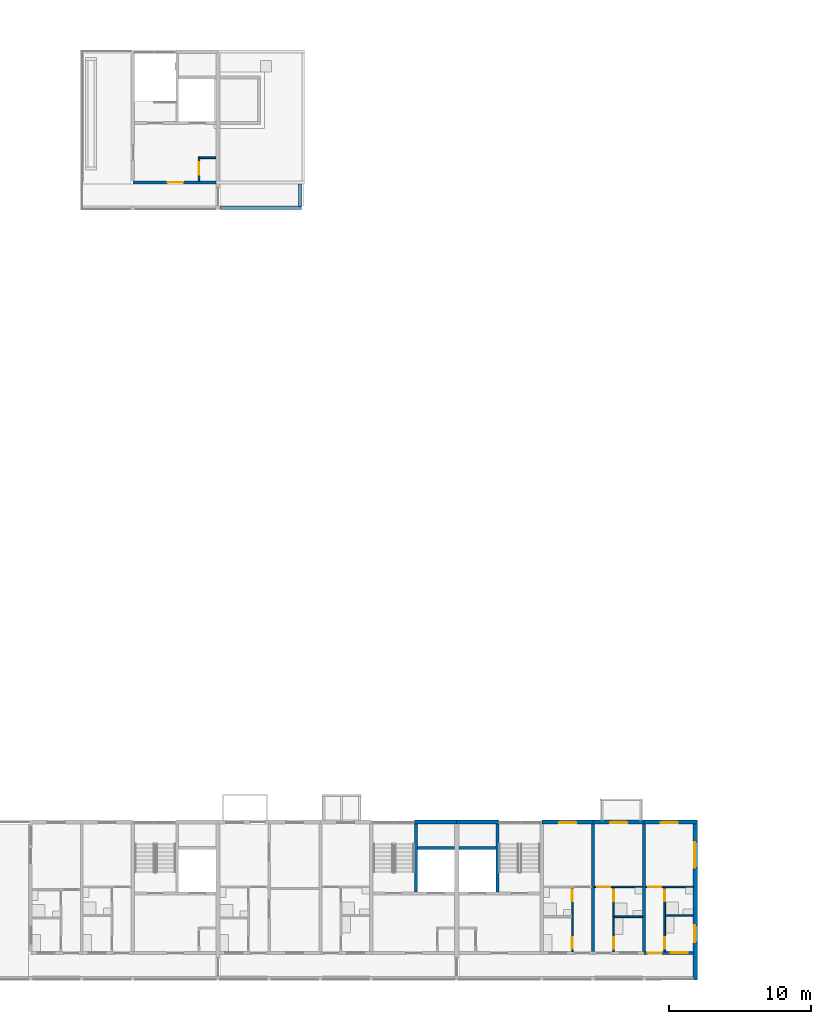
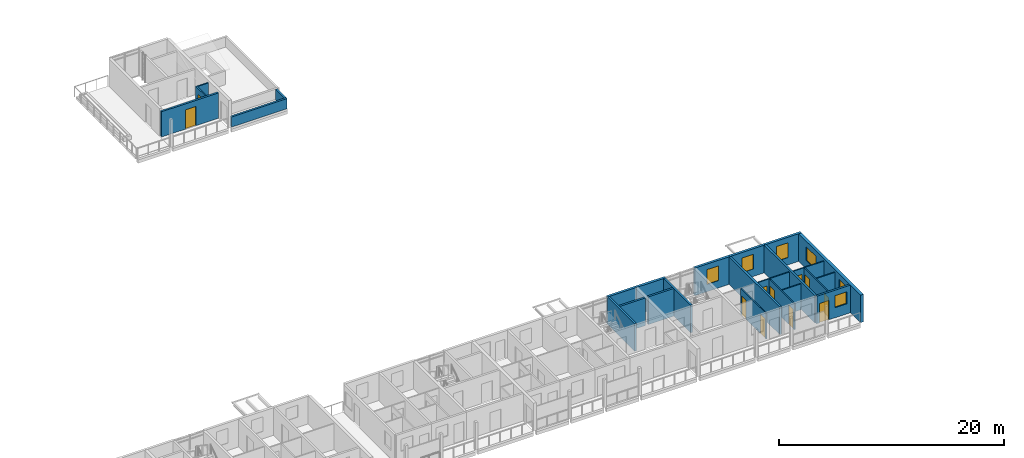
# One storey, part 38 of 78: 25 walls, 11 doors, 6 windows, 17 openings.
"""IFC4 building model written with IfcOpenShell, lengths in metres."""

from ifc_helpers import new_model, si_unit, direction, frame, frame_2d, origin, place, context, subcontext, project, spatial, rectangle, extrude, material, layer, layer_set, type_object, element, fill, save


model = new_model("IFC4")

# Units and contexts
model_context = context("Model", 3, precision=1e-05, world=origin(), true_north=direction((0.0, 1.0)))
body_context = subcontext(model_context, "Body", "Model", "MODEL_VIEW")
ifc_project = project(units=[si_unit("LENGTHUNIT", "METRE"), si_unit("AREAUNIT", "SQUARE_METRE"), si_unit("VOLUMEUNIT", "CUBIC_METRE"), si_unit("PLANEANGLEUNIT", "RADIAN"), si_unit("MASSUNIT", "GRAM", prefix="KILO")], contexts=[model_context])

# Site, building, storey
site_placement = place(None, origin())
site = spatial("IfcSite", under=ifc_project, at=site_placement, CompositionType="ELEMENT")
building_placement = place(site_placement, origin())
building = spatial("IfcBuilding", under=site, at=building_placement, Name="Ridgestep Commons", CompositionType="ELEMENT")
storey_placement = place(building_placement, frame((0.0, 0.0, 30.0)))
storey = spatial("IfcBuildingStorey", under=building, at=storey_placement, Name="L10", CompositionType="ELEMENT", Elevation=30.0)

# Wall, opening, door
ifc_material_1 = material(Name="Concrete C30/37", Category="concrete")
ifc_layer_1 = layer(ifc_material_1, 0.199951171875)
ifc_layer_set_1 = layer_set([ifc_layer_1], Name="Core south wall 200")
wall_type_1 = type_object("IfcWallType", Name="Core south wall 200", PredefinedType="SHEAR", material=ifc_layer_set_1)
wall_1_placement = place(storey_placement, frame((73.199951171875, 67.89990234375, 0.0), z_axis=(0.0, 0.0, 1.0), x_axis=(1.0, 0.0, 0.0)))
wall_1 = element("IfcWall", 1, at=wall_1_placement, inside=storey, type_object=wall_type_1, Name="Core south wall B4C L10", PredefinedType="SHEAR", context=body_context, shape_type="SweptSolid", body=[
    extrude(rectangle(XDim=5.85009765625, YDim=0.199951171875, at=frame_2d((2.925048828125, 0.0))), origin(), (0.0, 0.0, 1.0), 2.75),
])
opening_1_placement = place(wall_1_placement, frame((2.4375, 0.0, 0.0)))
opening_1 = element("IfcOpeningElement", 2, at=opening_1_placement, cuts=wall_1, Name="Opening B4C/10/1", PredefinedType="OPENING", context=body_context, shape_type="SweptSolid", body=[
    extrude(rectangle(XDim=1.10009765625, YDim=2.10009765625, at=frame_2d((0.550048828125, 1.050048828125))), frame((0.0, 0.10986328125, 0.0), z_axis=(0.0, -1.0, 0.0), x_axis=(1.0, 0.0, 0.0)), (0.0, 0.0, 1.0), 0.219970703125),
])
ifc_material_2 = material(Name="Steel fire door", Category="steel")
door_type_1 = type_object("IfcDoorType", Name="Lobby door 1100 x 2100 FD60", OperationType="NOTDEFINED", PredefinedType="DOOR", material=ifc_material_2)
door_1_placement = place(opening_1_placement, origin())
door_1 = element("IfcDoor", 3, at=door_1_placement, inside=storey, type_object=door_type_1, Name="Lobby door B4C/10/1", OperationType="SINGLE_SWING_LEFT", OverallHeight=2.10009765625, OverallWidth=1.10009765625, PredefinedType="DOOR", context=body_context, shape_type="SweptSolid", body=[
    extrude(rectangle(XDim=1.10009765625, YDim=2.10009765625, at=frame_2d((0.550048828125, 1.050048828125))), frame((0.0, 0.02490234375, 0.0), z_axis=(0.0, -1.0, 0.0), x_axis=(1.0, 0.0, 0.0)), (0.0, 0.0, 1.0), 0.050048828125),
])
fill(opening_1, door_1)

ifc_material_3 = material(Name="Concrete C30/37", Category="concrete")
ifc_layer_2 = layer(ifc_material_3, 0.1201171875)
ifc_layer_set_2 = layer_set([ifc_layer_2], Name="Core wall 120")
wall_type_2 = type_object("IfcWallType", Name="Core wall 120", PredefinedType="SHEAR", material=ifc_layer_set_2)
wall_2_placement = place(storey_placement, frame((77.860107421875, 68.0, 0.0), z_axis=(0.0, 0.0, 1.0), x_axis=(0.0, 1.0, 0.0)))
wall_2 = element("IfcWall", 4, at=wall_2_placement, inside=storey, type_object=wall_type_2, Name="Core riser w wall B4C L10", PredefinedType="SHEAR", context=body_context, shape_type="SweptSolid", body=[
    extrude(rectangle(XDim=1.719970703125, YDim=0.1201171875, at=frame_2d((0.85986328125, 0.0))), origin(), (0.0, 0.0, 1.0), 2.75),
])
opening_2_placement = place(wall_2_placement, frame((0.449951171875, 0.0, 0.0)))
opening_2 = element("IfcOpeningElement", 5, at=opening_2_placement, cuts=wall_2, Name="Opening B4C/10/4", PredefinedType="OPENING", context=body_context, shape_type="SweptSolid", body=[
    extrude(rectangle(XDim=0.89990234375, YDim=2.10009765625, at=frame_2d((0.449951171875, 1.050048828125))), frame((0.0, 0.070068359375, 0.0), z_axis=(0.0, -1.0, 0.0), x_axis=(1.0, 0.0, 0.0)), (0.0, 0.0, 1.0), 0.14013671875),
])
ifc_material_4 = material(Name="Steel fire door", Category="steel")
door_type_2 = type_object("IfcDoorType", Name="Riser door 900 x 2100 FD60", OperationType="NOTDEFINED", PredefinedType="DOOR", material=ifc_material_4)
door_2_placement = place(opening_2_placement, origin())
door_2 = element("IfcDoor", 6, at=door_2_placement, inside=storey, type_object=door_type_2, Name="Riser door B4C/10/4", OperationType="SINGLE_SWING_LEFT", OverallHeight=2.10009765625, OverallWidth=0.89990234375, PredefinedType="DOOR", context=body_context, shape_type="SweptSolid", body=[
    extrude(rectangle(XDim=0.89990234375, YDim=2.10009765625, at=frame_2d((0.449951171875, 1.050048828125))), frame((0.0, 0.02490234375, 0.0), z_axis=(0.0, -1.0, 0.0), x_axis=(1.0, 0.0, 0.0)), (0.0, 0.0, 1.0), 0.050048828125),
])
fill(opening_2, door_2)

# Walls
wall_3_placement = place(storey_placement, frame((77.919921875, 69.659912109375, 0.0), z_axis=(0.0, 0.0, 1.0), x_axis=(1.0, 0.0, 0.0)))
element("IfcWall", 7, at=wall_3_placement, inside=storey, type_object=wall_type_2, Name="Core riser n wall B4C L10", PredefinedType="SHEAR", context=body_context, shape_type="SweptSolid", body=[
    extrude(rectangle(XDim=1.130126953125, YDim=0.1201171875, at=frame_2d((0.56494140625, 0.0))), origin(), (0.0, 0.0, 1.0), 2.75),
])
ifc_material_5 = material(Name="Concrete C30/37", Category="concrete")
ifc_layer_3 = layer(ifc_material_5, 0.199951171875)
ifc_layer_set_3 = layer_set([ifc_layer_3], Name="Core wall 200")
wall_type_3 = type_object("IfcWallType", Name="Core wall 200", PredefinedType="SHEAR", material=ifc_layer_set_3)
wall_4_placement = place(storey_placement, frame((93.125, 17.949951171875, 0.0), z_axis=(0.0, 0.0, 1.0), x_axis=(0.0, 1.0, 0.0)))
element("IfcWall", 8, at=wall_4_placement, inside=storey, type_object=wall_type_3, Name="Core stair wall A5C L10", PredefinedType="SHEAR", context=body_context, shape_type="SweptSolid", body=[
    extrude(rectangle(XDim=4.800048828125, YDim=0.199951171875, at=frame_2d((2.39990234375, 0.0))), origin(), (0.0, 0.0, 1.0), 3.0),
])
wall_5_placement = place(storey_placement, frame((93.22509765625, 21.050048828125, 0.0), z_axis=(0.0, 0.0, 1.0), x_axis=(1.0, 0.0, 0.0)))
element("IfcWall", 9, at=wall_5_placement, inside=storey, type_object=wall_type_3, Name="Core duct wall A5C L10", PredefinedType="SHEAR", context=body_context, shape_type="SweptSolid", body=[
    extrude(rectangle(XDim=2.625, YDim=0.199951171875, at=frame_2d((1.3125, 0.0))), origin(), (0.0, 0.0, 1.0), 3.0),
])
wall_6_placement = place(storey_placement, frame((98.875, 17.949951171875, 0.0), z_axis=(0.0, 0.0, 1.0), x_axis=(0.0, 1.0, 0.0)))
element("IfcWall", 10, at=wall_6_placement, inside=storey, type_object=wall_type_3, Name="Core stair wall A6C L10", PredefinedType="SHEAR", context=body_context, shape_type="SweptSolid", body=[
    extrude(rectangle(XDim=4.800048828125, YDim=0.199951171875, at=frame_2d((2.39990234375, 0.0))), origin(), (0.0, 0.0, 1.0), 3.0),
])
wall_7_placement = place(storey_placement, frame((96.14990234375, 21.050048828125, 0.0), z_axis=(0.0, 0.0, 1.0), x_axis=(1.0, 0.0, 0.0)))
element("IfcWall", 11, at=wall_7_placement, inside=storey, type_object=wall_type_3, Name="Core duct wall A6C L10", PredefinedType="SHEAR", context=body_context, shape_type="SweptSolid", body=[
    extrude(rectangle(XDim=2.625, YDim=0.199951171875, at=frame_2d((1.3125, 0.0))), origin(), (0.0, 0.0, 1.0), 3.0),
])
ifc_material_6 = material(Name="Precast concrete C40/50", Category="concrete")
ifc_layer_4 = layer(ifc_material_6, 0.199951171875)
ifc_layer_set_4 = layer_set([ifc_layer_4], Name="Cross wall 200")
wall_type_4 = type_object("IfcWallType", Name="Cross wall 200", PredefinedType="SHEAR", material=ifc_layer_set_4)
for number, where, z_axis, x_axis, name in (
    (12, (105.60009765625, 13.75, 0.0), (0.0, 0.0, 1.0), (0.0, 1.0, 0.0), "Cross wall A-10-1056"),
    (13, (109.199951171875, 13.75, 0.0), (0.0, 0.0, 1.0), (0.0, 1.0, 0.0), "Cross wall A-10-1092"),
):
    element("IfcWall", number, at=place(storey_placement, frame(where, z_axis=z_axis, x_axis=x_axis)), inside=storey, type_object=wall_type_4, Name=name, PredefinedType="SHEAR", context=body_context, shape_type="SweptSolid", body=[
        extrude(rectangle(XDim=9.0, YDim=0.199951171875, at=frame_2d((4.5, 0.0))), origin(), (0.0, 0.0, 1.0), 3.0),
    ])

# Wall, openings, windows
ifc_material_7 = material(Name="Precast concrete C40/50", Category="concrete")
ifc_layer_5 = layer(ifc_material_7, 0.300048828125)
ifc_layer_set_5 = layer_set([ifc_layer_5], Name="Exposed division wall 300")
wall_type_5 = type_object("IfcWallType", Name="Exposed division wall 300", PredefinedType="SHEAR", material=ifc_layer_set_5)
wall_8_placement = place(storey_placement, frame((112.800048828125, 11.75, 0.0), z_axis=(0.0, 0.0, 1.0), x_axis=(0.0, 1.0, 0.0)))
wall_8 = element("IfcWall", 14, at=wall_8_placement, inside=storey, type_object=wall_type_5, Name="Cross wall A-10-1128", PredefinedType="SHEAR", context=body_context, shape_type="SweptSolid", body=[
    extrude(rectangle(XDim=11.0, YDim=0.300048828125, at=frame_2d((5.5, 0.0))), origin(), (0.0, 0.0, 1.0), 3.0),
])
opening_3_placement = place(wall_8_placement, frame((2.64990234375, 0.0, 0.89990234375)))
opening_3 = element("IfcOpeningElement", 15, at=opening_3_placement, cuts=wall_8, Name="Opening W10", PredefinedType="OPENING", context=body_context, shape_type="SweptSolid", body=[
    extrude(rectangle(XDim=1.199951171875, YDim=1.5, at=frame_2d((0.60009765625, 0.75))), frame((0.0, 0.159912109375, 0.0), z_axis=(0.0, -1.0, 0.0), x_axis=(1.0, 0.0, 0.0)), (0.0, 0.0, 1.0), 0.320068359375),
])
opening_4_placement = place(wall_8_placement, frame((7.905029296875, 0.0, 0.89990234375)))
opening_4 = element("IfcOpeningElement", 16, at=opening_4_placement, cuts=wall_8, Name="Opening W20", PredefinedType="OPENING", context=body_context, shape_type="SweptSolid", body=[
    extrude(rectangle(XDim=1.800048828125, YDim=1.5, at=frame_2d((0.89990234375, 0.75))), frame((0.0, 0.159912109375, 0.0), z_axis=(0.0, -1.0, 0.0), x_axis=(1.0, 0.0, 0.0)), (0.0, 0.0, 1.0), 0.320068359375),
])
ifc_material_8 = material(Name="Aluminium 6063-T6 and glass", Category="aluminium")
window_type_1 = type_object("IfcWindowType", Name="Flat window 1200 x 1500", PartitioningType="SINGLE_PANEL", PredefinedType="WINDOW", material=ifc_material_8)
window_1_placement = place(opening_3_placement, origin())
window_1 = element("IfcWindow", 17, at=window_1_placement, inside=storey, type_object=window_type_1, Name="Window A6-10a 3", OverallHeight=1.5, OverallWidth=1.199951171875, PartitioningType="SINGLE_PANEL", PredefinedType="WINDOW", context=body_context, shape_type="SweptSolid", body=[
    extrude(rectangle(XDim=1.199951171875, YDim=1.5, at=frame_2d((0.60009765625, 0.75))), frame((0.0, 0.06005859375, 0.0), z_axis=(0.0, -1.0, 0.0), x_axis=(1.0, 0.0, 0.0)), (0.0, 0.0, 1.0), 0.06005859375),
])
fill(opening_3, window_1)
ifc_material_9 = material(Name="Aluminium 6063-T6 and glass", Category="aluminium")
window_type_2 = type_object("IfcWindowType", Name="Flat window 1800 x 1500", PartitioningType="DOUBLE_PANEL_VERTICAL", PredefinedType="WINDOW", material=ifc_material_9)
window_2_placement = place(opening_4_placement, origin())
window_2 = element("IfcWindow", 18, at=window_2_placement, inside=storey, type_object=window_type_2, Name="Window A6-10a 4", OverallHeight=1.5, OverallWidth=1.800048828125, PartitioningType="SINGLE_PANEL", PredefinedType="WINDOW", context=body_context, shape_type="SweptSolid", body=[
    extrude(rectangle(XDim=1.800048828125, YDim=1.5, at=frame_2d((0.89990234375, 0.75))), frame((0.0, 0.06005859375, 0.0), z_axis=(0.0, -1.0, 0.0), x_axis=(1.0, 0.0, 0.0)), (0.0, 0.0, 1.0), 0.06005859375),
])
fill(opening_4, window_2)

# Walls
ifc_material_10 = material(Name="Precast concrete C40/50", Category="concrete")
ifc_layer_6 = layer(ifc_material_10, 0.25)
ifc_layer_set_6 = layer_set([ifc_layer_6], Name="North facade panel 250")
wall_type_6 = type_object("IfcWallType", Name="North facade panel 250", PredefinedType="SOLIDWALL", material=ifc_layer_set_6)
for number, where, z_axis, x_axis, name in (
    (19, (93.02490234375, 22.875, 0.0), (0.0, 0.0, 1.0), (1.0, 0.0, 0.0), "North panel A5C L10"),
    (20, (96.0, 22.875, 0.0), (0.0, 0.0, 1.0), (1.0, 0.0, 0.0), "North panel A6C L10"),
):
    element("IfcWall", number, at=place(storey_placement, frame(where, z_axis=z_axis, x_axis=x_axis)), inside=storey, type_object=wall_type_6, Name=name, PredefinedType="SOLIDWALL", context=body_context, shape_type="SweptSolid", body=[
        extrude(rectangle(XDim=2.97509765625, YDim=0.25, at=frame_2d((1.487548828125, 0.0))), origin(), (0.0, 0.0, 1.0), 3.0),
    ])

# Wall, opening, window
wall_9_placement = place(storey_placement, frame((102.0, 22.875, 0.0), z_axis=(0.0, 0.0, 1.0), x_axis=(1.0, 0.0, 0.0)))
wall_9 = element("IfcWall", 21, at=wall_9_placement, inside=storey, type_object=wall_type_6, Name="North panel A6T3 L10", PredefinedType="SOLIDWALL", context=body_context, shape_type="SweptSolid", body=[
    extrude(rectangle(XDim=3.60009765625, YDim=0.25, at=frame_2d((1.800048828125, 0.0))), origin(), (0.0, 0.0, 1.0), 3.0),
])
opening_5_placement = place(wall_9_placement, frame((1.21240234375, 0.0, 0.800048828125)))
opening_5 = element("IfcOpeningElement", 22, at=opening_5_placement, cuts=wall_9, Name="Opening W11", PredefinedType="OPENING", context=body_context, shape_type="SweptSolid", body=[
    extrude(rectangle(XDim=1.199951171875, YDim=1.60009765625, at=frame_2d((0.60009765625, 0.800048828125))), frame((0.0, 0.135009765625, 0.0), z_axis=(0.0, -1.0, 0.0), x_axis=(1.0, 0.0, 0.0)), (0.0, 0.0, 1.0), 0.27001953125),
])
ifc_material_11 = material(Name="Aluminium 6063-T6 and glass", Category="aluminium")
window_type_3 = type_object("IfcWindowType", Name="Flat window 1200 x 1600", PartitioningType="SINGLE_PANEL", PredefinedType="WINDOW", material=ifc_material_11)
window_3_placement = place(opening_5_placement, origin())
window_3 = element("IfcWindow", 23, at=window_3_placement, inside=storey, type_object=window_type_3, Name="Window A6-10c 2", OverallHeight=1.60009765625, OverallWidth=1.199951171875, PartitioningType="SINGLE_PANEL", PredefinedType="WINDOW", context=body_context, shape_type="SweptSolid", body=[
    extrude(rectangle(XDim=1.199951171875, YDim=1.60009765625, at=frame_2d((0.60009765625, 0.800048828125))), frame((0.0, -0.02490234375, 0.0), z_axis=(0.0, -1.0, 0.0), x_axis=(1.0, 0.0, 0.0)), (0.0, 0.0, 1.0), 0.06005859375),
])
fill(opening_5, window_3)

wall_10_placement = place(storey_placement, frame((105.60009765625, 22.875, 0.0), z_axis=(0.0, 0.0, 1.0), x_axis=(1.0, 0.0, 0.0)))
wall_10 = element("IfcWall", 24, at=wall_10_placement, inside=storey, type_object=wall_type_6, Name="North panel A6T2 L10", PredefinedType="SOLIDWALL", context=body_context, shape_type="SweptSolid", body=[
    extrude(rectangle(XDim=3.599853515625, YDim=0.25, at=frame_2d((1.7998046875, 0.0))), origin(), (0.0, 0.0, 1.0), 3.0),
])
opening_6_placement = place(wall_10_placement, frame((1.199951171875, 0.0, 0.800048828125)))
opening_6 = element("IfcOpeningElement", 25, at=opening_6_placement, cuts=wall_10, Name="Opening W11", PredefinedType="OPENING", context=body_context, shape_type="SweptSolid", body=[
    extrude(rectangle(XDim=1.199951171875, YDim=1.60009765625, at=frame_2d((0.60009765625, 0.800048828125))), frame((0.0, 0.135009765625, 0.0), z_axis=(0.0, -1.0, 0.0), x_axis=(1.0, 0.0, 0.0)), (0.0, 0.0, 1.0), 0.27001953125),
])
window_4_placement = place(opening_6_placement, origin())
window_4 = element("IfcWindow", 26, at=window_4_placement, inside=storey, type_object=window_type_3, Name="Window A6-10b 2", OverallHeight=1.60009765625, OverallWidth=1.199951171875, PartitioningType="SINGLE_PANEL", PredefinedType="WINDOW", context=body_context, shape_type="SweptSolid", body=[
    extrude(rectangle(XDim=1.199951171875, YDim=1.60009765625, at=frame_2d((0.60009765625, 0.800048828125))), frame((0.0, -0.02490234375, 0.0), z_axis=(0.0, -1.0, 0.0), x_axis=(1.0, 0.0, 0.0)), (0.0, 0.0, 1.0), 0.06005859375),
])
fill(opening_6, window_4)

wall_11_placement = place(storey_placement, frame((109.199951171875, 22.875, 0.0), z_axis=(0.0, 0.0, 1.0), x_axis=(1.0, 0.0, 0.0)))
wall_11 = element("IfcWall", 27, at=wall_11_placement, inside=storey, type_object=wall_type_6, Name="North panel A6T1 L10", PredefinedType="SOLIDWALL", context=body_context, shape_type="SweptSolid", body=[
    extrude(rectangle(XDim=3.75, YDim=0.25, at=frame_2d((1.875, 0.0))), origin(), (0.0, 0.0, 1.0), 3.0),
])
opening_7_placement = place(wall_11_placement, frame((1.175048828125, 0.0, 0.800048828125)))
opening_7 = element("IfcOpeningElement", 28, at=opening_7_placement, cuts=wall_11, Name="Opening W11", PredefinedType="OPENING", context=body_context, shape_type="SweptSolid", body=[
    extrude(rectangle(XDim=1.199951171875, YDim=1.60009765625, at=frame_2d((0.60009765625, 0.800048828125))), frame((0.0, 0.135009765625, 0.0), z_axis=(0.0, -1.0, 0.0), x_axis=(1.0, 0.0, 0.0)), (0.0, 0.0, 1.0), 0.27001953125),
])
window_5_placement = place(opening_7_placement, origin())
window_5 = element("IfcWindow", 29, at=window_5_placement, inside=storey, type_object=window_type_3, Name="Window A6-10a 2", OverallHeight=1.60009765625, OverallWidth=1.199951171875, PartitioningType="SINGLE_PANEL", PredefinedType="WINDOW", context=body_context, shape_type="SweptSolid", body=[
    extrude(rectangle(XDim=1.199951171875, YDim=1.60009765625, at=frame_2d((0.60009765625, 0.800048828125))), frame((0.0, -0.02490234375, 0.0), z_axis=(0.0, -1.0, 0.0), x_axis=(1.0, 0.0, 0.0)), (0.0, 0.0, 1.0), 0.06005859375),
])
fill(opening_7, window_5)

# Walls
ifc_material_12 = material(Name="Precast concrete C40/50", Category="concrete")
ifc_layer_7 = layer(ifc_material_12, 0.199951171875)
ifc_layer_set_7 = layer_set([ifc_layer_7], Name="Parapet wall 200")
wall_type_7 = type_object("IfcWallType", Name="Parapet wall 200", PredefinedType="PARAPET", material=ifc_layer_set_7)
wall_12_placement = place(storey_placement, frame((79.324951171875, 66.125, 0.0), z_axis=(0.0, 0.0, 1.0), x_axis=(1.0, 0.0, 0.0)))
element("IfcWall", 30, at=wall_12_placement, inside=storey, type_object=wall_type_7, Name="Parapet B5C gallery south", PredefinedType="PARAPET", context=body_context, shape_type="SweptSolid", body=[
    extrude(rectangle(XDim=5.75, YDim=0.199951171875, at=frame_2d((2.875, 0.0))), origin(), (0.0, 0.0, 1.0), 1.10009765625),
])
wall_13_placement = place(storey_placement, frame((84.97509765625, 66.22509765625, 0.0), z_axis=(0.0, 0.0, 1.0), x_axis=(0.0, 1.0, 0.0)))
element("IfcWall", 31, at=wall_13_placement, inside=storey, type_object=wall_type_7, Name="Parapet B5C gallery east", PredefinedType="PARAPET", context=body_context, shape_type="SweptSolid", body=[
    extrude(rectangle(XDim=1.574951171875, YDim=0.199951171875, at=frame_2d((0.78759765625, 0.0))), origin(), (0.0, 0.0, 1.0), 1.10009765625),
])

# Wall, openings, doors
ifc_material_13 = material(Name="Common brick 110 mm", Category="masonry")
ifc_layer_8 = layer(ifc_material_13, 0.110107421875)
ifc_layer_set_8 = layer_set([ifc_layer_8], Name="Partition 110")
wall_type_8 = type_object("IfcWallType", Name="Partition 110", PredefinedType="PARTITIONING", material=ifc_layer_set_8)
wall_14_placement = place(storey_placement, frame((110.655029296875, 13.75, 0.0), z_axis=(0.0, 0.0, 1.0), x_axis=(0.0, 1.0, 0.0)))
wall_14 = element("IfcWall", 32, at=wall_14_placement, inside=storey, type_object=wall_type_8, Name="Partition A6-10a", PredefinedType="PARTITIONING", context=body_context, shape_type="SweptSolid", body=[
    extrude(rectangle(XDim=4.5, YDim=0.110107421875, at=frame_2d((2.25, 0.0))), origin(), (0.0, 0.0, 1.0), 2.75),
])
opening_8_placement = place(wall_14_placement, frame((0.199951171875, 0.0, 0.0)))
opening_8 = element("IfcOpeningElement", 33, at=opening_8_placement, cuts=wall_14, Name="Opening A6-10a/2", PredefinedType="OPENING", context=body_context, shape_type="SweptSolid", body=[
    extrude(rectangle(XDim=0.800048828125, YDim=2.10009765625, at=frame_2d((0.39990234375, 1.050048828125))), frame((0.0, 0.06494140625, 0.0), z_axis=(0.0, -1.0, 0.0), x_axis=(1.0, 0.0, 0.0)), (0.0, 0.0, 1.0), 0.130126953125),
])
opening_9_placement = place(wall_14_placement, frame((3.550048828125, 0.0, 0.0)))
opening_9 = element("IfcOpeningElement", 34, at=opening_9_placement, cuts=wall_14, Name="Opening A6-10a/3", PredefinedType="OPENING", context=body_context, shape_type="SweptSolid", body=[
    extrude(rectangle(XDim=0.800048828125, YDim=2.10009765625, at=frame_2d((0.39990234375, 1.050048828125))), frame((0.0, 0.06494140625, 0.0), z_axis=(0.0, -1.0, 0.0), x_axis=(1.0, 0.0, 0.0)), (0.0, 0.0, 1.0), 0.130126953125),
])
ifc_material_14 = material(Name="Timber door leaf", Category="wood")
door_type_3 = type_object("IfcDoorType", Name="Internal door 800 x 2100", OperationType="NOTDEFINED", PredefinedType="DOOR", material=ifc_material_14)
door_3_placement = place(opening_8_placement, origin())
door_3 = element("IfcDoor", 35, at=door_3_placement, inside=storey, type_object=door_type_3, Name="Internal door A6-10a/2", OperationType="SINGLE_SWING_RIGHT", OverallHeight=2.10009765625, OverallWidth=0.800048828125, PredefinedType="DOOR", context=body_context, shape_type="SweptSolid", body=[
    extrude(rectangle(XDim=0.800048828125, YDim=2.10009765625, at=frame_2d((0.39990234375, 1.050048828125))), frame((0.0, 0.02490234375, 0.0), z_axis=(0.0, -1.0, 0.0), x_axis=(1.0, 0.0, 0.0)), (0.0, 0.0, 1.0), 0.050048828125),
])
fill(opening_8, door_3)
door_4_placement = place(opening_9_placement, origin())
door_4 = element("IfcDoor", 36, at=door_4_placement, inside=storey, type_object=door_type_3, Name="Internal door A6-10a/3", OperationType="SINGLE_SWING_LEFT", OverallHeight=2.10009765625, OverallWidth=0.800048828125, PredefinedType="DOOR", context=body_context, shape_type="SweptSolid", body=[
    extrude(rectangle(XDim=0.800048828125, YDim=2.10009765625, at=frame_2d((0.39990234375, 1.050048828125))), frame((0.0, 0.02490234375, 0.0), z_axis=(0.0, -1.0, 0.0), x_axis=(1.0, 0.0, 0.0)), (0.0, 0.0, 1.0), 0.050048828125),
])
fill(opening_9, door_4)

# Wall
wall_15_placement = place(storey_placement, frame((110.7099609375, 16.304931640625, 0.0), z_axis=(0.0, 0.0, 1.0), x_axis=(1.0, 0.0, 0.0)))
element("IfcWall", 37, at=wall_15_placement, inside=storey, type_object=wall_type_8, Name="Partition A6-10a", PredefinedType="PARTITIONING", context=body_context, shape_type="SweptSolid", body=[
    extrude(rectangle(XDim=1.93994140625, YDim=0.110107421875, at=frame_2d((0.969970703125, 0.0))), origin(), (0.0, 0.0, 1.0), 2.75),
])

# Wall, opening, door
wall_16_placement = place(storey_placement, frame((109.300048828125, 18.304931640625, 0.0), z_axis=(0.0, 0.0, 1.0), x_axis=(1.0, 0.0, 0.0)))
wall_16 = element("IfcWall", 38, at=wall_16_placement, inside=storey, type_object=wall_type_8, Name="Partition A6-10a", PredefinedType="PARTITIONING", context=body_context, shape_type="SweptSolid", body=[
    extrude(rectangle(XDim=3.349853515625, YDim=0.110107421875, at=frame_2d((1.6748046875, 0.0))), origin(), (0.0, 0.0, 1.0), 2.75),
])
opening_10_placement = place(wall_16_placement, frame((0.199951171875, 0.0, 0.0)))
opening_10 = element("IfcOpeningElement", 39, at=opening_10_placement, cuts=wall_16, Name="Opening A6-10a/4", PredefinedType="OPENING", context=body_context, shape_type="SweptSolid", body=[
    extrude(rectangle(XDim=0.89990234375, YDim=2.10009765625, at=frame_2d((0.449951171875, 1.050048828125))), frame((0.0, 0.06494140625, 0.0), z_axis=(0.0, -1.0, 0.0), x_axis=(1.0, 0.0, 0.0)), (0.0, 0.0, 1.0), 0.130126953125),
])
ifc_material_15 = material(Name="Timber door leaf", Category="wood")
door_type_4 = type_object("IfcDoorType", Name="Internal door 900 x 2100", OperationType="NOTDEFINED", PredefinedType="DOOR", material=ifc_material_15)
door_5_placement = place(opening_10_placement, origin())
door_5 = element("IfcDoor", 40, at=door_5_placement, inside=storey, type_object=door_type_4, Name="Internal door A6-10a/4", OperationType="SINGLE_SWING_LEFT", OverallHeight=2.10009765625, OverallWidth=0.89990234375, PredefinedType="DOOR", context=body_context, shape_type="SweptSolid", body=[
    extrude(rectangle(XDim=0.89990234375, YDim=2.10009765625, at=frame_2d((0.449951171875, 1.050048828125))), frame((0.0, 0.02490234375, 0.0), z_axis=(0.0, -1.0, 0.0), x_axis=(1.0, 0.0, 0.0)), (0.0, 0.0, 1.0), 0.050048828125),
])
fill(opening_10, door_5)

# Wall, openings, doors
wall_17_placement = place(storey_placement, frame((107.054931640625, 13.75, 0.0), z_axis=(0.0, 0.0, 1.0), x_axis=(0.0, 1.0, 0.0)))
wall_17 = element("IfcWall", 41, at=wall_17_placement, inside=storey, type_object=wall_type_8, Name="Partition A6-10b", PredefinedType="PARTITIONING", context=body_context, shape_type="SweptSolid", body=[
    extrude(rectangle(XDim=4.5, YDim=0.110107421875, at=frame_2d((2.25, 0.0))), origin(), (0.0, 0.0, 1.0), 2.800048828125),
])
opening_11_placement = place(wall_17_placement, frame((0.199951171875, 0.0, 0.0)))
opening_11 = element("IfcOpeningElement", 42, at=opening_11_placement, cuts=wall_17, Name="Opening A6-10b/2", PredefinedType="OPENING", context=body_context, shape_type="SweptSolid", body=[
    extrude(rectangle(XDim=0.800048828125, YDim=2.10009765625, at=frame_2d((0.39990234375, 1.050048828125))), frame((0.0, 0.06494140625, 0.0), z_axis=(0.0, -1.0, 0.0), x_axis=(1.0, 0.0, 0.0)), (0.0, 0.0, 1.0), 0.130126953125),
])
opening_12_placement = place(wall_17_placement, frame((3.550048828125, 0.0, 0.0)))
opening_12 = element("IfcOpeningElement", 43, at=opening_12_placement, cuts=wall_17, Name="Opening A6-10b/3", PredefinedType="OPENING", context=body_context, shape_type="SweptSolid", body=[
    extrude(rectangle(XDim=0.800048828125, YDim=2.10009765625, at=frame_2d((0.39990234375, 1.050048828125))), frame((0.0, 0.06494140625, 0.0), z_axis=(0.0, -1.0, 0.0), x_axis=(1.0, 0.0, 0.0)), (0.0, 0.0, 1.0), 0.130126953125),
])
door_6_placement = place(opening_11_placement, origin())
door_6 = element("IfcDoor", 44, at=door_6_placement, inside=storey, type_object=door_type_3, Name="Internal door A6-10b/2", OperationType="SINGLE_SWING_RIGHT", OverallHeight=2.10009765625, OverallWidth=0.800048828125, PredefinedType="DOOR", context=body_context, shape_type="SweptSolid", body=[
    extrude(rectangle(XDim=0.800048828125, YDim=2.10009765625, at=frame_2d((0.39990234375, 1.050048828125))), frame((0.0, 0.02490234375, 0.0), z_axis=(0.0, -1.0, 0.0), x_axis=(1.0, 0.0, 0.0)), (0.0, 0.0, 1.0), 0.050048828125),
])
fill(opening_11, door_6)
door_7_placement = place(opening_12_placement, origin())
door_7 = element("IfcDoor", 45, at=door_7_placement, inside=storey, type_object=door_type_3, Name="Internal door A6-10b/3", OperationType="SINGLE_SWING_LEFT", OverallHeight=2.10009765625, OverallWidth=0.800048828125, PredefinedType="DOOR", context=body_context, shape_type="SweptSolid", body=[
    extrude(rectangle(XDim=0.800048828125, YDim=2.10009765625, at=frame_2d((0.39990234375, 1.050048828125))), frame((0.0, 0.02490234375, 0.0), z_axis=(0.0, -1.0, 0.0), x_axis=(1.0, 0.0, 0.0)), (0.0, 0.0, 1.0), 0.050048828125),
])
fill(opening_12, door_7)

# Wall
wall_18_placement = place(storey_placement, frame((107.110107421875, 16.205078125, 0.0), z_axis=(0.0, 0.0, 1.0), x_axis=(1.0, 0.0, 0.0)))
element("IfcWall", 46, at=wall_18_placement, inside=storey, type_object=wall_type_8, Name="Partition A6-10b", PredefinedType="PARTITIONING", context=body_context, shape_type="SweptSolid", body=[
    extrude(rectangle(XDim=1.989990234375, YDim=0.110107421875, at=frame_2d((0.9951171875, 0.0))), origin(), (0.0, 0.0, 1.0), 2.800048828125),
])

# Wall, opening, door
wall_19_placement = place(storey_placement, frame((105.699951171875, 18.304931640625, 0.0), z_axis=(0.0, 0.0, 1.0), x_axis=(1.0, 0.0, 0.0)))
wall_19 = element("IfcWall", 47, at=wall_19_placement, inside=storey, type_object=wall_type_8, Name="Partition A6-10b", PredefinedType="PARTITIONING", context=body_context, shape_type="SweptSolid", body=[
    extrude(rectangle(XDim=3.400146484375, YDim=0.110107421875, at=frame_2d((1.7001953125, 0.0))), origin(), (0.0, 0.0, 1.0), 2.800048828125),
])
opening_13_placement = place(wall_19_placement, frame((0.199951171875, 0.0, 0.0)))
opening_13 = element("IfcOpeningElement", 48, at=opening_13_placement, cuts=wall_19, Name="Opening A6-10b/4", PredefinedType="OPENING", context=body_context, shape_type="SweptSolid", body=[
    extrude(rectangle(XDim=0.89990234375, YDim=2.10009765625, at=frame_2d((0.449951171875, 1.050048828125))), frame((0.0, 0.06494140625, 0.0), z_axis=(0.0, -1.0, 0.0), x_axis=(1.0, 0.0, 0.0)), (0.0, 0.0, 1.0), 0.130126953125),
])
door_8_placement = place(opening_13_placement, origin())
door_8 = element("IfcDoor", 49, at=door_8_placement, inside=storey, type_object=door_type_4, Name="Internal door A6-10b/4", OperationType="SINGLE_SWING_RIGHT", OverallHeight=2.10009765625, OverallWidth=0.89990234375, PredefinedType="DOOR", context=body_context, shape_type="SweptSolid", body=[
    extrude(rectangle(XDim=0.89990234375, YDim=2.10009765625, at=frame_2d((0.449951171875, 1.050048828125))), frame((0.0, 0.02490234375, 0.0), z_axis=(0.0, -1.0, 0.0), x_axis=(1.0, 0.0, 0.0)), (0.0, 0.0, 1.0), 0.050048828125),
])
fill(opening_13, door_8)

# Wall, openings, doors
wall_20_placement = place(storey_placement, frame((104.14501953125, 13.75, 0.0), z_axis=(0.0, 0.0, 1.0), x_axis=(0.0, 1.0, 0.0)))
wall_20 = element("IfcWall", 50, at=wall_20_placement, inside=storey, type_object=wall_type_8, Name="Partition A6-10c", PredefinedType="PARTITIONING", context=body_context, shape_type="SweptSolid", body=[
    extrude(rectangle(XDim=4.5, YDim=0.110107421875, at=frame_2d((2.25, 0.0))), origin(), (0.0, 0.0, 1.0), 2.800048828125),
])
opening_14_placement = place(wall_20_placement, frame((0.199951171875, 0.0, 0.0)))
opening_14 = element("IfcOpeningElement", 51, at=opening_14_placement, cuts=wall_20, Name="Opening A6-10c/2", PredefinedType="OPENING", context=body_context, shape_type="SweptSolid", body=[
    extrude(rectangle(XDim=0.800048828125, YDim=2.10009765625, at=frame_2d((0.39990234375, 1.050048828125))), frame((0.0, 0.06494140625, 0.0), z_axis=(0.0, -1.0, 0.0), x_axis=(1.0, 0.0, 0.0)), (0.0, 0.0, 1.0), 0.130126953125),
])
opening_15_placement = place(wall_20_placement, frame((3.550048828125, 0.0, 0.0)))
opening_15 = element("IfcOpeningElement", 52, at=opening_15_placement, cuts=wall_20, Name="Opening A6-10c/3", PredefinedType="OPENING", context=body_context, shape_type="SweptSolid", body=[
    extrude(rectangle(XDim=0.800048828125, YDim=2.10009765625, at=frame_2d((0.39990234375, 1.050048828125))), frame((0.0, 0.06494140625, 0.0), z_axis=(0.0, -1.0, 0.0), x_axis=(1.0, 0.0, 0.0)), (0.0, 0.0, 1.0), 0.130126953125),
])
door_9_placement = place(opening_14_placement, origin())
door_9 = element("IfcDoor", 53, at=door_9_placement, inside=storey, type_object=door_type_3, Name="Internal door A6-10c/2", OperationType="SINGLE_SWING_LEFT", OverallHeight=2.10009765625, OverallWidth=0.800048828125, PredefinedType="DOOR", context=body_context, shape_type="SweptSolid", body=[
    extrude(rectangle(XDim=0.800048828125, YDim=2.10009765625, at=frame_2d((0.39990234375, 1.050048828125))), frame((0.0, 0.02490234375, 0.0), z_axis=(0.0, -1.0, 0.0), x_axis=(1.0, 0.0, 0.0)), (0.0, 0.0, 1.0), 0.050048828125),
])
fill(opening_14, door_9)
door_10_placement = place(opening_15_placement, origin())
door_10 = element("IfcDoor", 54, at=door_10_placement, inside=storey, type_object=door_type_3, Name="Internal door A6-10c/3", OperationType="SINGLE_SWING_RIGHT", OverallHeight=2.10009765625, OverallWidth=0.800048828125, PredefinedType="DOOR", context=body_context, shape_type="SweptSolid", body=[
    extrude(rectangle(XDim=0.800048828125, YDim=2.10009765625, at=frame_2d((0.39990234375, 1.050048828125))), frame((0.0, 0.02490234375, 0.0), z_axis=(0.0, -1.0, 0.0), x_axis=(1.0, 0.0, 0.0)), (0.0, 0.0, 1.0), 0.050048828125),
])
fill(opening_15, door_10)

# Wall, openings, door, window
ifc_material_16 = material(Name="Precast concrete C40/50", Category="concrete")
ifc_layer_9 = layer(ifc_material_16, 0.199951171875)
ifc_layer_set_9 = layer_set([ifc_layer_9], Name="South facade panel 200")
wall_type_9 = type_object("IfcWallType", Name="South facade panel 200", PredefinedType="SOLIDWALL", material=ifc_layer_set_9)
wall_21_placement = place(storey_placement, frame((109.199951171875, 13.64990234375, 0.0), z_axis=(0.0, 0.0, 1.0), x_axis=(1.0, 0.0, 0.0)))
wall_21 = element("IfcWall", 55, at=wall_21_placement, inside=storey, type_object=wall_type_9, Name="South panel A6T1 L10", PredefinedType="SOLIDWALL", context=body_context, shape_type="SweptSolid", body=[
    extrude(rectangle(XDim=3.449951171875, YDim=0.199951171875, at=frame_2d((1.72509765625, 0.0))), origin(), (0.0, 0.0, 1.0), 3.0),
])
opening_16_placement = place(wall_21_placement, frame((1.8798828125, 0.0, 1.10009765625)))
opening_16 = element("IfcOpeningElement", 56, at=opening_16_placement, cuts=wall_21, Name="Opening W08", PredefinedType="OPENING", context=body_context, shape_type="SweptSolid", body=[
    extrude(rectangle(XDim=1.199951171875, YDim=1.300048828125, at=frame_2d((0.60009765625, 0.64990234375))), frame((0.0, 0.10986328125, 0.0), z_axis=(0.0, -1.0, 0.0), x_axis=(1.0, 0.0, 0.0)), (0.0, 0.0, 1.0), 0.219970703125),
])
opening_17_placement = place(wall_21_placement, frame((0.25, 0.0, 0.0)))
opening_17 = element("IfcOpeningElement", 57, at=opening_17_placement, cuts=wall_21, Name="Opening A6-10a/1", PredefinedType="OPENING", context=body_context, shape_type="SweptSolid", body=[
    extrude(rectangle(XDim=1.0, YDim=2.10009765625, at=frame_2d((0.5, 1.050048828125))), frame((0.0, 0.10986328125, 0.0), z_axis=(0.0, -1.0, 0.0), x_axis=(1.0, 0.0, 0.0)), (0.0, 0.0, 1.0), 0.219970703125),
])
ifc_material_17 = material(Name="Timber door leaf", Category="wood")
door_type_5 = type_object("IfcDoorType", Name="Flat entrance door 1000 x 2100 FD30S", OperationType="NOTDEFINED", PredefinedType="DOOR", material=ifc_material_17)
door_11_placement = place(opening_17_placement, origin())
door_11 = element("IfcDoor", 58, at=door_11_placement, inside=storey, type_object=door_type_5, Name="Flat entrance door A6-10a/1", OperationType="SINGLE_SWING_LEFT", OverallHeight=2.10009765625, OverallWidth=1.0, PredefinedType="DOOR", context=body_context, shape_type="SweptSolid", body=[
    extrude(rectangle(XDim=1.0, YDim=2.10009765625, at=frame_2d((0.5, 1.050048828125))), frame((0.0, 0.02490234375, 0.0), z_axis=(0.0, -1.0, 0.0), x_axis=(1.0, 0.0, 0.0)), (0.0, 0.0, 1.0), 0.050048828125),
])
fill(opening_17, door_11)
ifc_material_18 = material(Name="Aluminium 6063-T6 and glass", Category="aluminium")
window_type_4 = type_object("IfcWindowType", Name="Flat window 1200 x 1300", PartitioningType="SINGLE_PANEL", PredefinedType="WINDOW", material=ifc_material_18)
window_6_placement = place(opening_16_placement, origin())
window_6 = element("IfcWindow", 59, at=window_6_placement, inside=storey, type_object=window_type_4, Name="Window A6-10a 1", OverallHeight=1.300048828125, OverallWidth=1.199951171875, PartitioningType="SINGLE_PANEL", PredefinedType="WINDOW", context=body_context, shape_type="SweptSolid", body=[
    extrude(rectangle(XDim=1.199951171875, YDim=1.300048828125, at=frame_2d((0.60009765625, 0.64990234375))), frame((0.0, 0.06005859375, 0.0), z_axis=(0.0, -1.0, 0.0), x_axis=(1.0, 0.0, 0.0)), (0.0, 0.0, 1.0), 0.06005859375),
])
fill(opening_16, window_6)

save(model, "model.ifc")
